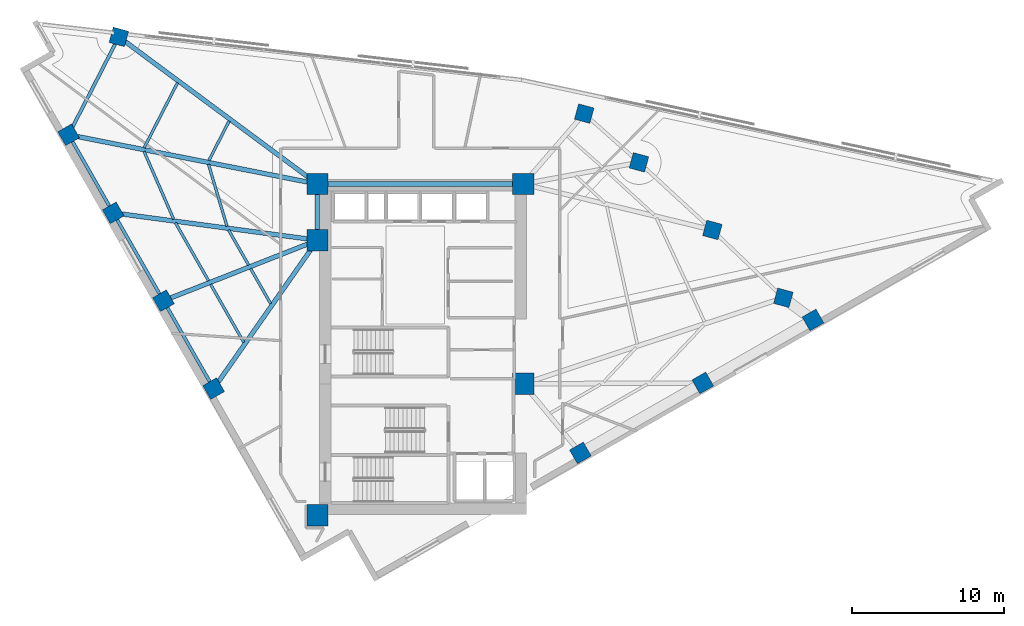
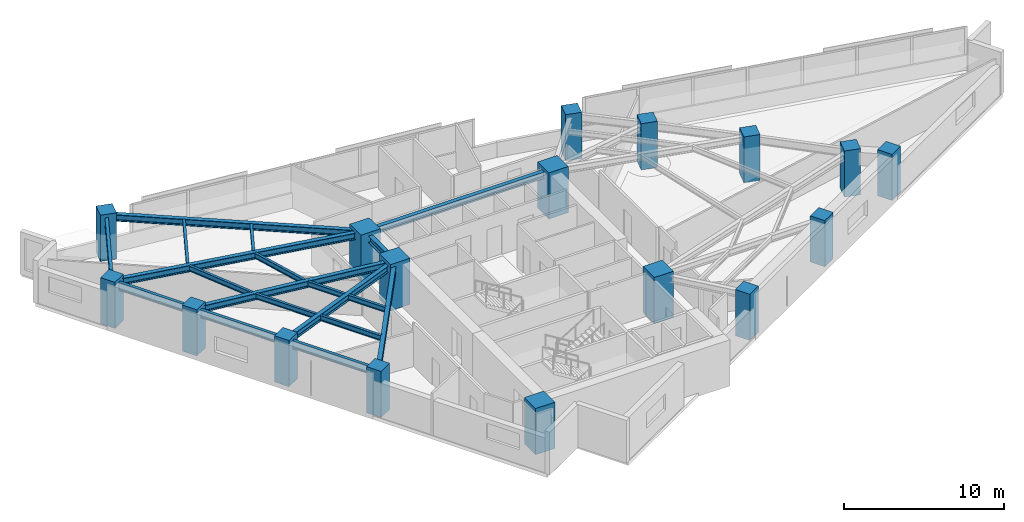
# One storey, part 1 of 13: 19 beams, 17 columns.
"""IFC4 building model written with IfcOpenShell, lengths in metres."""

from ifc_helpers import new_model, si_unit, direction, frame, origin, origin_2d, place, context, subcontext, project, spatial, rectangle, i_section, extrude, material, material_profile, profile_set, type_object, element, save


model = new_model("IFC4")

# Units and contexts
model_context = context("Model", 3, precision=1e-05, world=origin(), true_north=direction((0.0, 1.0)))
body_context = subcontext(model_context, "Body", "Model", "MODEL_VIEW")
ifc_project = project(units=[si_unit("LENGTHUNIT", "METRE"), si_unit("AREAUNIT", "SQUARE_METRE"), si_unit("VOLUMEUNIT", "CUBIC_METRE"), si_unit("PLANEANGLEUNIT", "RADIAN"), si_unit("MASSUNIT", "GRAM", prefix="KILO")], contexts=[model_context])

# Site, building, storey
site_placement = place(None, origin())
site = spatial("IfcSite", under=ifc_project, at=site_placement, CompositionType="ELEMENT")
building_placement = place(site_placement, origin())
building = spatial("IfcBuilding", under=site, at=building_placement, Name="Narakoshi Arena Tower", CompositionType="ELEMENT")
storey_placement = place(building_placement, frame((0.0, 0.0, 222.02001953125)))
storey = spatial("IfcBuildingStorey", under=building, at=storey_placement, Name="L60", CompositionType="ELEMENT", Elevation=222.02001953125)

# Columns
ifc_material_1 = material(Name="Concrete C50/60", Category="concrete")
ifc_material_profile_1 = material_profile(ifc_material_1, rectangle(XDim=1.050048828125, YDim=1.050048828125, at=origin_2d()), Name="RC1050x1050")
ifc_profile_set_1 = profile_set([ifc_material_profile_1], Name="Concrete C50/60")
column_type_1 = type_object("IfcColumnType", Name="COL-RC1050", PredefinedType="COLUMN", material=ifc_profile_set_1)
for number, where, z_axis, x_axis, name in (
    (1, (89.30810546875, 38.798583984375, 0.0), (0.0, 0.0, 1.0), (0.868198814489, 0.496216503675, 0.0), "L60 Tower Perimeter Column TC01"),
    (2, (97.366943359375, 43.404541015625, 0.0), (0.0, 0.0, 1.0), (0.868198814489, 0.496216503675, 0.0), "L60 Tower Perimeter Column TC02"),
    (3, (104.619873046875, 47.550048828125, 0.0), (0.0, 0.0, 1.0), (0.868198814489, 0.496216503675, 0.0), "L60 Tower Perimeter Column TC03"),
    (4, (102.668701171875, 49.009521484375, 0.0), (0.0, 0.0, 1.0), (0.263031214458, 0.964787323829, 0.0), "L60 Tower Perimeter Column TC05"),
    (5, (97.997802734375, 53.47509765625, 0.0), (0.0, 0.0, 1.0), (0.263031214458, 0.964787323829, 0.0), "L60 Tower Perimeter Column TC06"),
    (6, (93.16650390625, 57.923828125, 0.0), (0.0, 0.0, 1.0), (0.263031214458, 0.964787323829, 0.0), "L60 Tower Perimeter Column TC07"),
    (7, (89.5615234375, 61.134765625, 0.0), (0.0, 0.0, 1.0), (0.263031214458, 0.964787323829, 0.0), "L60 Tower Perimeter Column TC08"),
    (8, (58.934326171875, 66.183837890625, 0.0), (0.0, 0.0, 1.0), (0.263031214458, 0.964787323829, 0.0), "L60 Tower Perimeter Column TC10"),
    (9, (55.624755859375, 59.74169921875, 0.0), (0.0, 0.0, 1.0), (-0.496216503675, 0.868198814489, 0.0), "L60 Tower Perimeter Column TC13"),
    (10, (58.562744140625, 54.60107421875, 0.0), (0.0, 0.0, 1.0), (-0.496216503675, 0.868198814489, 0.0), "L60 Tower Perimeter Column TC14"),
    (11, (61.8681640625, 48.81787109375, 0.0), (0.0, 0.0, 1.0), (-0.496216503675, 0.868198814489, 0.0), "L60 Tower Perimeter Column TC15"),
    (12, (65.17333984375, 43.03466796875, 0.0), (0.0, 0.0, 1.0), (-0.496216503675, 0.868198814489, 0.0), "L60 Tower Perimeter Column TC16"),
):
    element("IfcColumn", number, at=place(storey_placement, frame(where, z_axis=z_axis, x_axis=x_axis)), inside=storey, type_object=column_type_1, Name=name, PredefinedType="COLUMN", context=body_context, shape_type="SweptSolid", body=[
        extrude(rectangle(XDim=1.050048828125, YDim=1.050048828125, at=origin_2d()), origin(), (0.0, 0.0, 1.0), 3.52001953125),
    ])
ifc_material_2 = material(Name="Concrete C60/75", Category="concrete")
ifc_material_profile_2 = material_profile(ifc_material_2, rectangle(XDim=1.39990234375, YDim=1.39990234375, at=origin_2d()), Name="RC1400x1400")
ifc_profile_set_2 = profile_set([ifc_material_profile_2], Name="Concrete C60/75")
column_type_2 = type_object("IfcColumnType", Name="COL-RC1400", PredefinedType="COLUMN", material=ifc_profile_set_2)
for number, where, z_axis, x_axis, name in (
    (13, (72.0, 34.699951171875, 0.0), (0.0, 0.0, 1.0), (1.0, 0.0, 0.0), "L60 Core Structural Column CC1"),
    (14, (85.550048828125, 43.35009765625, 0.0), (0.0, 0.0, 1.0), (1.0, 0.0, 0.0), "L60 Core Structural Column CC3"),
    (15, (72.0, 52.800048828125, 0.0), (0.0, 0.0, 1.0), (1.0, 0.0, 0.0), "L60 Core Structural Column CC4"),
    (16, (72.0, 56.5, 0.0), (0.0, 0.0, 1.0), (1.0, 0.0, 0.0), "L60 Core Structural Column CC5"),
    (17, (85.550048828125, 56.5, 0.0), (0.0, 0.0, 1.0), (1.0, 0.0, 0.0), "L60 Core Structural Column CC6"),
):
    element("IfcColumn", number, at=place(storey_placement, frame(where, z_axis=z_axis, x_axis=x_axis)), inside=storey, type_object=column_type_2, Name=name, PredefinedType="COLUMN", context=body_context, shape_type="SweptSolid", body=[
        extrude(rectangle(XDim=1.39990234375, YDim=1.39990234375, at=origin_2d()), origin(), (0.0, 0.0, 1.0), 3.52001953125),
    ])

# Beams
ifc_material_3 = material(Name="Structural steel S355J2", Category="steel")
ifc_material_profile_3 = material_profile(ifc_material_3, i_section(OverallWidth=0.219970703125, OverallDepth=0.60009765625, WebThickness=0.011962890625, FlangeThickness=0.01904296875, FilletRadius=0.02392578125, at=origin_2d()), Name="IPE600")
ifc_profile_set_3 = profile_set([ifc_material_profile_3], Name="Structural steel S355J2")
beam_type_1 = type_object("IfcBeamType", Name="BM-EDGE-600", PredefinedType="BEAM", material=ifc_profile_set_3)
beam_1_placement = place(storey_placement, frame((58.934326171875, 66.183837890625, 2.9599609375), z_axis=(-0.45696256568, -0.889485926571, 0.0), x_axis=(0.889485926571, -0.45696256568, 0.0)))
element("IfcBeam", 18, at=beam_1_placement, inside=storey, type_object=beam_type_1, Name="L60 Perimeter Edge Girder 08", PredefinedType="BEAM", context=body_context, shape_type="SweptSolid", body=[
    extrude(i_section(OverallWidth=0.219970703125, OverallDepth=0.60009765625, WebThickness=0.011962890625, FlangeThickness=0.01904296875, FilletRadius=0.02392578125, at=origin_2d()), origin(), (0.0, 0.0, 1.0), 7.242431640625),
])
beam_2_placement = place(storey_placement, frame((55.624755859375, 59.74169921875, 2.9599609375), z_axis=(0.496201104161, -0.868207615856, 0.0), x_axis=(0.868207615856, 0.496201104161, 0.0)))
element("IfcBeam", 19, at=beam_2_placement, inside=storey, type_object=beam_type_1, Name="L60 Perimeter Edge Girder 09", PredefinedType="BEAM", context=body_context, shape_type="SweptSolid", body=[
    extrude(i_section(OverallWidth=0.219970703125, OverallDepth=0.60009765625, WebThickness=0.011962890625, FlangeThickness=0.01904296875, FilletRadius=0.02392578125, at=origin_2d()), origin(), (0.0, 0.0, 1.0), 5.9208984375),
])
for number, where, z_axis, x_axis, name in (
    (20, (58.562744140625, 54.60107421875, 2.9599609375), (0.496221824399, -0.868195773423, 0.0), (0.868195773423, 0.496221824399, 0.0), "L60 Perimeter Edge Girder 10"),
    (21, (61.8681640625, 48.81787109375, 2.9599609375), (0.496194197226, -0.868211563295, 0.0), (0.868211563295, 0.496194197226, 0.0), "L60 Perimeter Edge Girder 11"),
):
    element("IfcBeam", number, at=place(storey_placement, frame(where, z_axis=z_axis, x_axis=x_axis)), inside=storey, type_object=beam_type_1, Name=name, PredefinedType="BEAM", context=body_context, shape_type="SweptSolid", body=[
        extrude(i_section(OverallWidth=0.219970703125, OverallDepth=0.60009765625, WebThickness=0.011962890625, FlangeThickness=0.01904296875, FilletRadius=0.02392578125, at=origin_2d()), origin(), (0.0, 0.0, 1.0), 6.6611328125),
    ])
ifc_material_profile_4 = material_profile(ifc_material_3, i_section(OverallWidth=0.300048828125, OverallDepth=0.5, WebThickness=0.014404296875, FlangeThickness=0.028076171875, FilletRadius=0.027099609375, at=origin_2d()), Name="HE500B")
ifc_profile_set_4 = profile_set([ifc_material_profile_4], Name="Structural steel S355J2")
beam_type_2 = type_object("IfcBeamType", Name="BM-PRI-500", PredefinedType="BEAM", material=ifc_profile_set_4)
beam_3_placement = place(storey_placement, frame((72.0, 56.5, 3.010009765625), z_axis=(-0.803393614053, 0.595448319252, 0.0), x_axis=(-0.595448319252, -0.803393614053, 0.0)))
element("IfcBeam", 22, at=beam_3_placement, inside=storey, type_object=beam_type_2, Name="L60 Radial Primary Floor Girder 08", PredefinedType="BEAM", context=body_context, shape_type="SweptSolid", body=[
    extrude(i_section(OverallWidth=0.300048828125, OverallDepth=0.5, WebThickness=0.014404296875, FlangeThickness=0.028076171875, FilletRadius=0.027099609375, at=origin_2d()), origin(), (0.0, 0.0, 1.0), 16.26318359375),
])
beam_4_placement = place(storey_placement, frame((72.0, 56.5, 3.010009765625), z_axis=(-0.980962989548, 0.194194781435, 0.0), x_axis=(-0.194194781435, -0.980962989548, 0.0)))
element("IfcBeam", 23, at=beam_4_placement, inside=storey, type_object=beam_type_2, Name="L60 Radial Primary Floor Girder 09", PredefinedType="BEAM", context=body_context, shape_type="SweptSolid", body=[
    extrude(i_section(OverallWidth=0.300048828125, OverallDepth=0.5, WebThickness=0.014404296875, FlangeThickness=0.028076171875, FilletRadius=0.027099609375, at=origin_2d()), origin(), (0.0, 0.0, 1.0), 16.693115234375),
])
beam_5_placement = place(storey_placement, frame((72.0, 52.800048828125, 3.010009765625), z_axis=(-0.991136919777, 0.132844293268, 0.0), x_axis=(-0.132844293268, -0.991136919777, 0.0)))
element("IfcBeam", 24, at=beam_5_placement, inside=storey, type_object=beam_type_2, Name="L60 Radial Primary Floor Girder 10", PredefinedType="BEAM", context=body_context, shape_type="SweptSolid", body=[
    extrude(i_section(OverallWidth=0.300048828125, OverallDepth=0.5, WebThickness=0.014404296875, FlangeThickness=0.028076171875, FilletRadius=0.027099609375, at=origin_2d()), origin(), (0.0, 0.0, 1.0), 13.557373046875),
])
beam_6_placement = place(storey_placement, frame((72.0, 52.800048828125, 3.010009765625), z_axis=(-0.930694784397, -0.365796689838, 0.0), x_axis=(0.365796689838, -0.930694784397, 0.0)))
element("IfcBeam", 25, at=beam_6_placement, inside=storey, type_object=beam_type_2, Name="L60 Radial Primary Floor Girder 11", PredefinedType="BEAM", context=body_context, shape_type="SweptSolid", body=[
    extrude(i_section(OverallWidth=0.300048828125, OverallDepth=0.5, WebThickness=0.014404296875, FlangeThickness=0.028076171875, FilletRadius=0.027099609375, at=origin_2d()), origin(), (0.0, 0.0, 1.0), 10.88623046875),
])
beam_7_placement = place(storey_placement, frame((72.0, 52.800048828125, 3.010009765625), z_axis=(-0.572949287291, -0.819590821198, 0.0), x_axis=(0.819590821198, -0.572949287291, 0.0)))
element("IfcBeam", 26, at=beam_7_placement, inside=storey, type_object=beam_type_2, Name="L60 Radial Primary Floor Girder 12", PredefinedType="BEAM", context=body_context, shape_type="SweptSolid", body=[
    extrude(i_section(OverallWidth=0.300048828125, OverallDepth=0.5, WebThickness=0.014404296875, FlangeThickness=0.028076171875, FilletRadius=0.027099609375, at=origin_2d()), origin(), (0.0, 0.0, 1.0), 11.9150390625),
])
beam_8_placement = place(storey_placement, frame((72.0, 52.800048828125, 3.010009765625), z_axis=(0.0, 1.0, 0.0), x_axis=(-1.0, 0.0, 0.0)))
element("IfcBeam", 27, at=beam_8_placement, inside=storey, type_object=beam_type_2, Name="L60 Core Perimeter Frame Beam CC4-CC5", PredefinedType="BEAM", context=body_context, shape_type="SweptSolid", body=[
    extrude(i_section(OverallWidth=0.300048828125, OverallDepth=0.5, WebThickness=0.014404296875, FlangeThickness=0.028076171875, FilletRadius=0.027099609375, at=origin_2d()), origin(), (0.0, 0.0, 1.0), 3.699951171875),
])
beam_9_placement = place(storey_placement, frame((72.0, 56.5, 3.010009765625), z_axis=(1.0, 0.0, 0.0), x_axis=(0.0, 1.0, 0.0)))
element("IfcBeam", 28, at=beam_9_placement, inside=storey, type_object=beam_type_2, Name="L60 Core Perimeter Frame Beam CC5-CC6", PredefinedType="BEAM", context=body_context, shape_type="SweptSolid", body=[
    extrude(i_section(OverallWidth=0.300048828125, OverallDepth=0.5, WebThickness=0.014404296875, FlangeThickness=0.028076171875, FilletRadius=0.027099609375, at=origin_2d()), origin(), (0.0, 0.0, 1.0), 13.550048828125),
])
ifc_material_profile_5 = material_profile(ifc_material_3, i_section(OverallWidth=0.179931640625, OverallDepth=0.39990234375, WebThickness=0.008544921875, FlangeThickness=0.013427734375, FilletRadius=0.02099609375, at=origin_2d()), Name="IPE400")
ifc_profile_set_5 = profile_set([ifc_material_profile_5], Name="Structural steel S355J2")
beam_type_3 = type_object("IfcBeamType", Name="BM-SEC-400", PredefinedType="JOIST", material=ifc_profile_set_5)
beam_10_placement = place(storey_placement, frame((66.189453125, 60.640869140625, 3.06005859375), z_axis=(-0.456929991759, -0.889502660272, 0.0), x_axis=(0.889502660272, -0.456929991759, 0.0)))
element("IfcBeam", 29, at=beam_10_placement, inside=storey, type_object=beam_type_3, Name="L60 Composite Secondary Floor Joist 10", PredefinedType="JOIST", context=body_context, shape_type="SweptSolid", body=[
    extrude(i_section(OverallWidth=0.179931640625, OverallDepth=0.39990234375, WebThickness=0.008544921875, FlangeThickness=0.013427734375, FilletRadius=0.02099609375, at=origin_2d()), origin(), (0.0, 0.0, 1.0), 2.916748046875),
])
beam_11_placement = place(storey_placement, frame((62.792236328125, 63.15869140625, 3.06005859375), z_axis=(-0.456912378331, -0.889511707921, 0.0), x_axis=(0.889511707921, -0.456912378331, 0.0)))
element("IfcBeam", 30, at=beam_11_placement, inside=storey, type_object=beam_type_3, Name="L60 Composite Secondary Floor Joist 11", PredefinedType="JOIST", context=body_context, shape_type="SweptSolid", body=[
    extrude(i_section(OverallWidth=0.179931640625, OverallDepth=0.39990234375, WebThickness=0.008544921875, FlangeThickness=0.013427734375, FilletRadius=0.02099609375, at=origin_2d()), origin(), (0.0, 0.0, 1.0), 4.7998046875),
])
beam_12_placement = place(storey_placement, frame((64.83349609375, 57.796875, 3.06005859375), z_axis=(0.285841192942, -0.958277001925, 0.0), x_axis=(0.958277001925, 0.285841192942, 0.0)))
element("IfcBeam", 31, at=beam_12_placement, inside=storey, type_object=beam_type_3, Name="L60 Composite Secondary Floor Joist 12", PredefinedType="JOIST", context=body_context, shape_type="SweptSolid", body=[
    extrude(i_section(OverallWidth=0.179931640625, OverallDepth=0.39990234375, WebThickness=0.008544921875, FlangeThickness=0.013427734375, FilletRadius=0.02099609375, at=origin_2d()), origin(), (0.0, 0.0, 1.0), 4.252685546875),
])
beam_13_placement = place(storey_placement, frame((60.59130859375, 58.6455078125, 3.06005859375), z_axis=(0.400253122957, -0.916404625459, 0.0), x_axis=(0.916404625459, 0.400253122957, 0.0)))
element("IfcBeam", 32, at=beam_13_placement, inside=storey, type_object=beam_type_3, Name="L60 Composite Secondary Floor Joist 13", PredefinedType="JOIST", context=body_context, shape_type="SweptSolid", body=[
    extrude(i_section(OverallWidth=0.179931640625, OverallDepth=0.39990234375, WebThickness=0.008544921875, FlangeThickness=0.013427734375, FilletRadius=0.02099609375, at=origin_2d()), origin(), (0.0, 0.0, 1.0), 4.8681640625),
])
beam_14_placement = place(storey_placement, frame((66.154541015625, 53.47509765625, 3.06005859375), z_axis=(0.49628714607, -0.868158435221, 0.0), x_axis=(0.868158435221, 0.49628714607, 0.0)))
element("IfcBeam", 33, at=beam_14_placement, inside=storey, type_object=beam_type_3, Name="L60 Composite Secondary Floor Joist 14", PredefinedType="JOIST", context=body_context, shape_type="SweptSolid", body=[
    extrude(i_section(OverallWidth=0.179931640625, OverallDepth=0.39990234375, WebThickness=0.008544921875, FlangeThickness=0.013427734375, FilletRadius=0.02099609375, at=origin_2d()), origin(), (0.0, 0.0, 1.0), 2.660888671875),
])
beam_15_placement = place(storey_placement, frame((62.660888671875, 53.943603515625, 3.06005859375), z_axis=(0.496228710621, -0.868191837531, 0.0), x_axis=(0.868191837531, 0.496228710621, 0.0)))
element("IfcBeam", 34, at=beam_15_placement, inside=storey, type_object=beam_type_3, Name="L60 Composite Secondary Floor Joist 15", PredefinedType="JOIST", context=body_context, shape_type="SweptSolid", body=[
    extrude(i_section(OverallWidth=0.179931640625, OverallDepth=0.39990234375, WebThickness=0.008544921875, FlangeThickness=0.013427734375, FilletRadius=0.02099609375, at=origin_2d()), origin(), (0.0, 0.0, 1.0), 4.39306640625),
])
beam_16_placement = place(storey_placement, frame((67.60888671875, 50.9306640625, 3.06005859375), z_axis=(0.496217987869, -0.868197966201, 0.0), x_axis=(0.868197966201, 0.496217987869, 0.0)))
element("IfcBeam", 35, at=beam_16_placement, inside=storey, type_object=beam_type_3, Name="L60 Composite Secondary Floor Joist 16", PredefinedType="JOIST", context=body_context, shape_type="SweptSolid", body=[
    extrude(i_section(OverallWidth=0.179931640625, OverallDepth=0.39990234375, WebThickness=0.008544921875, FlangeThickness=0.013427734375, FilletRadius=0.02099609375, at=origin_2d()), origin(), (0.0, 0.0, 1.0), 2.66064453125),
])
beam_17_placement = place(storey_placement, frame((64.974609375, 49.895263671875, 3.06005859375), z_axis=(0.496210762038, -0.86820209608, 0.0), x_axis=(0.86820209608, 0.496210762038, 0.0)))
element("IfcBeam", 36, at=beam_17_placement, inside=storey, type_object=beam_type_3, Name="L60 Composite Secondary Floor Joist 17", PredefinedType="JOIST", context=body_context, shape_type="SweptSolid", body=[
    extrude(i_section(OverallWidth=0.179931640625, OverallDepth=0.39990234375, WebThickness=0.008544921875, FlangeThickness=0.013427734375, FilletRadius=0.02099609375, at=origin_2d()), origin(), (0.0, 0.0, 1.0), 4.392578125),
])

save(model, "model.ifc")
